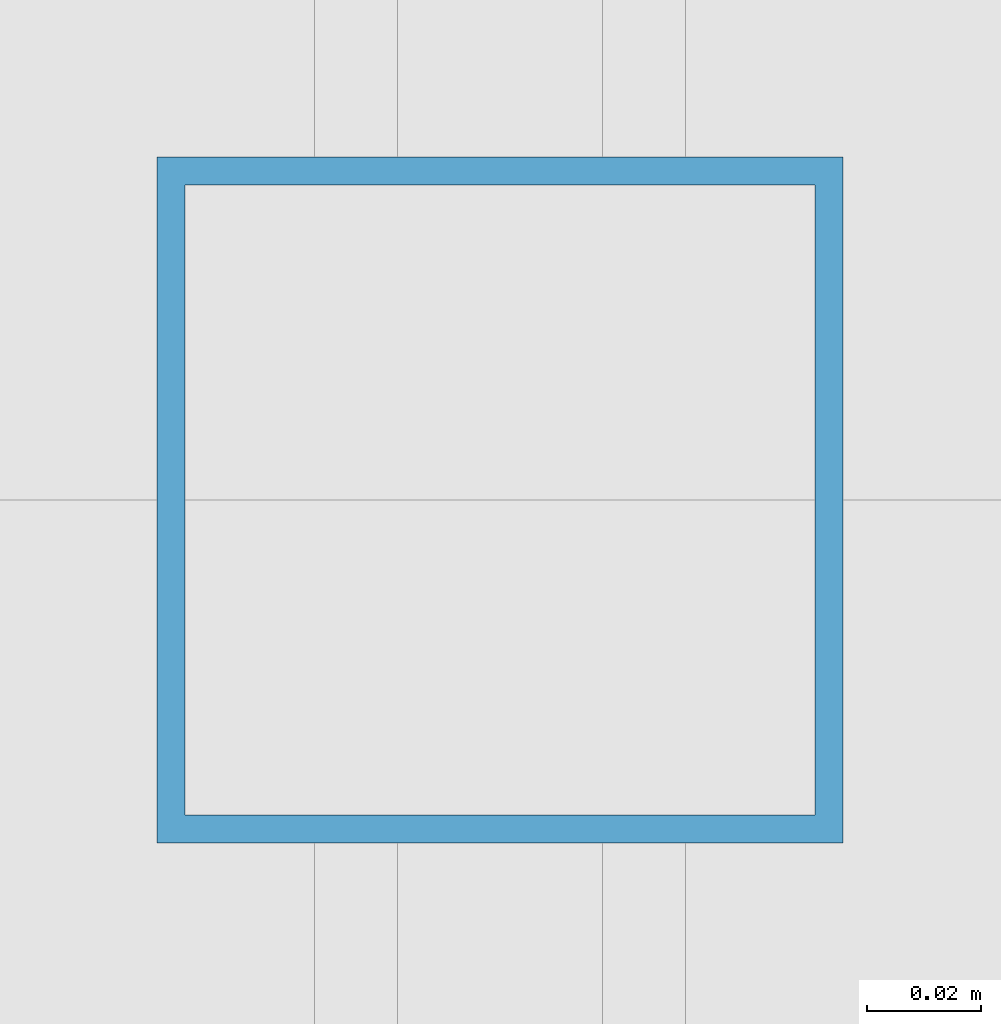
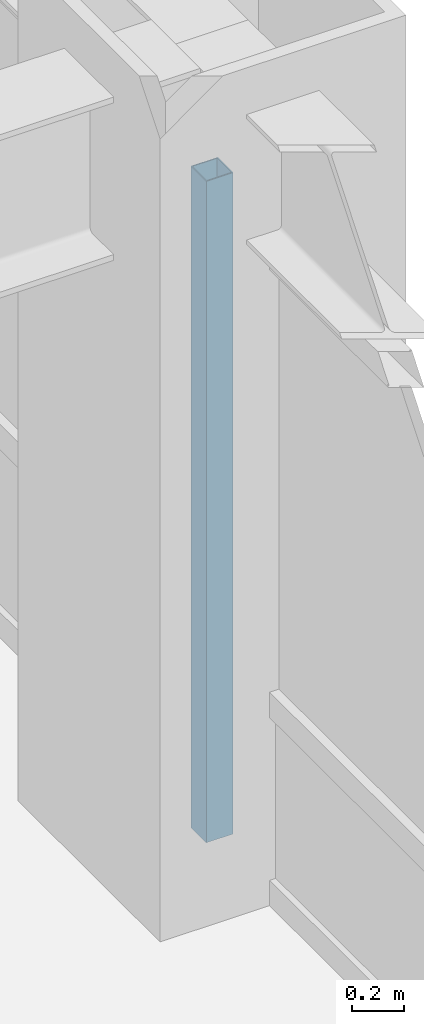
# One storey, part 10 of 24: 1 member, 1 element without a shape of its own.
"""IFC4 building model written with IfcOpenShell, lengths in metres."""

from ifc_helpers import new_model, si_unit, direction, frame, origin, origin_2d, place, context, subcontext, project, spatial, hollow_rectangle, extrude, source, transform, mapped, material, material_profile, profile_set, type_object, element, aggregate, save


model = new_model("IFC4")

# Units and contexts
model_context = context("Model", 3, precision=1e-05, world=origin(), true_north=direction((0.0, 1.0)))
body_context = subcontext(model_context, "Body", "Model", "MODEL_VIEW")
ifc_project = project(units=[si_unit("LENGTHUNIT", "METRE"), si_unit("AREAUNIT", "SQUARE_METRE"), si_unit("VOLUMEUNIT", "CUBIC_METRE"), si_unit("PLANEANGLEUNIT", "RADIAN"), si_unit("MASSUNIT", "GRAM", prefix="KILO")], contexts=[model_context])

# Site, building, storey
site_placement = place(None, origin())
site = spatial("IfcSite", under=ifc_project, at=site_placement, CompositionType="ELEMENT")
building_placement = place(site_placement, origin())
building = spatial("IfcBuilding", under=site, at=building_placement, Name="Khorayat Bourse Tower", CompositionType="ELEMENT")
storey_placement = place(building_placement, frame((0.0, 0.0, 163.10009765625)))
storey = spatial("IfcBuildingStorey", under=building, at=storey_placement, Name="L37", CompositionType="ELEMENT", Elevation=163.10009765625)

# Curtain wall, member
ifc_material = material(Name="Aluminium EN AW-6063 T6", Category="aluminium")
curtain_wall_type = type_object("IfcCurtainWallType", Name="CW-SYS-03", PredefinedType="NOTDEFINED", material=ifc_material)
curtain_wall_placement = place(storey_placement, origin())
curtain_wall = element("IfcCurtainWall", 1, at=curtain_wall_placement, inside=storey, type_object=curtain_wall_type, Name="L37 Curtain Wall CW-L37-E1", PredefinedType="NOTDEFINED")
ifc_material_profile = material_profile(ifc_material, hollow_rectangle(XDim=0.1201171875, YDim=0.1201171875, WallThickness=0.0048828125, at=origin_2d()), Name="ALU 120x120x5")
ifc_profile_set = profile_set([ifc_material_profile], Name="Aluminium EN AW-6063 T6")
member_type = type_object("IfcMemberType", Name="CWM-VERT-120", PredefinedType="MULLION", material=ifc_profile_set)
shared_shape = source(origin(), body_context, "Body", "SweptSolid", [
    extrude(hollow_rectangle(XDim=0.1201171875, YDim=0.1201171875, WallThickness=0.0048828125, at=origin_2d()), origin(), (0.0, 0.0, 1.0), 3.1298828125),
])
member_placement = place(storey_placement, frame((30.0, 0.0, 0.0), z_axis=(0.0, 0.0, 1.0), x_axis=(-1.0, 0.0, 0.0)))
member = element("IfcMember", 2, at=member_placement, type_object=member_type, Name="CW-L37-E1 Vertical Mullion 2", PredefinedType="MULLION", context=body_context, shape_type="MappedRepresentation", body=[
    mapped(shared_shape, transform((0.0, 0.0, 0.0), scale=1.0)),
])
aggregate(curtain_wall, [member])

save(model, "model.ifc")
